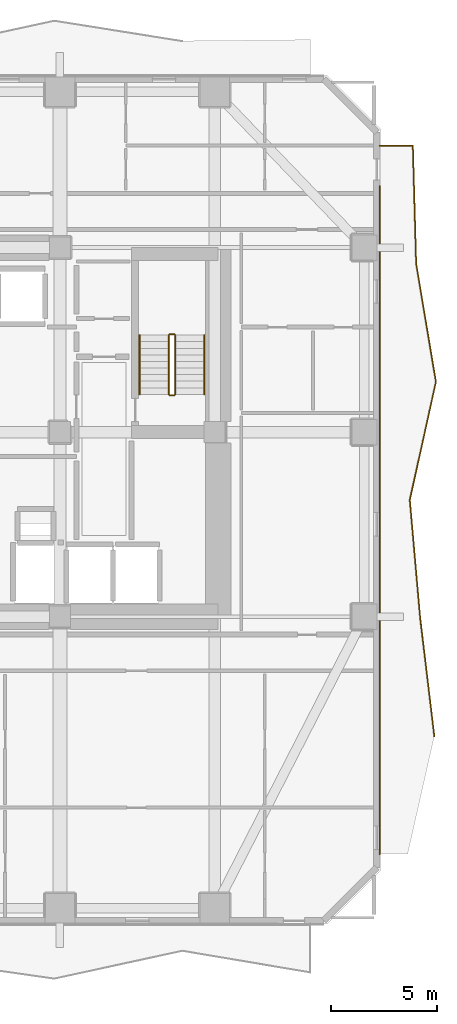
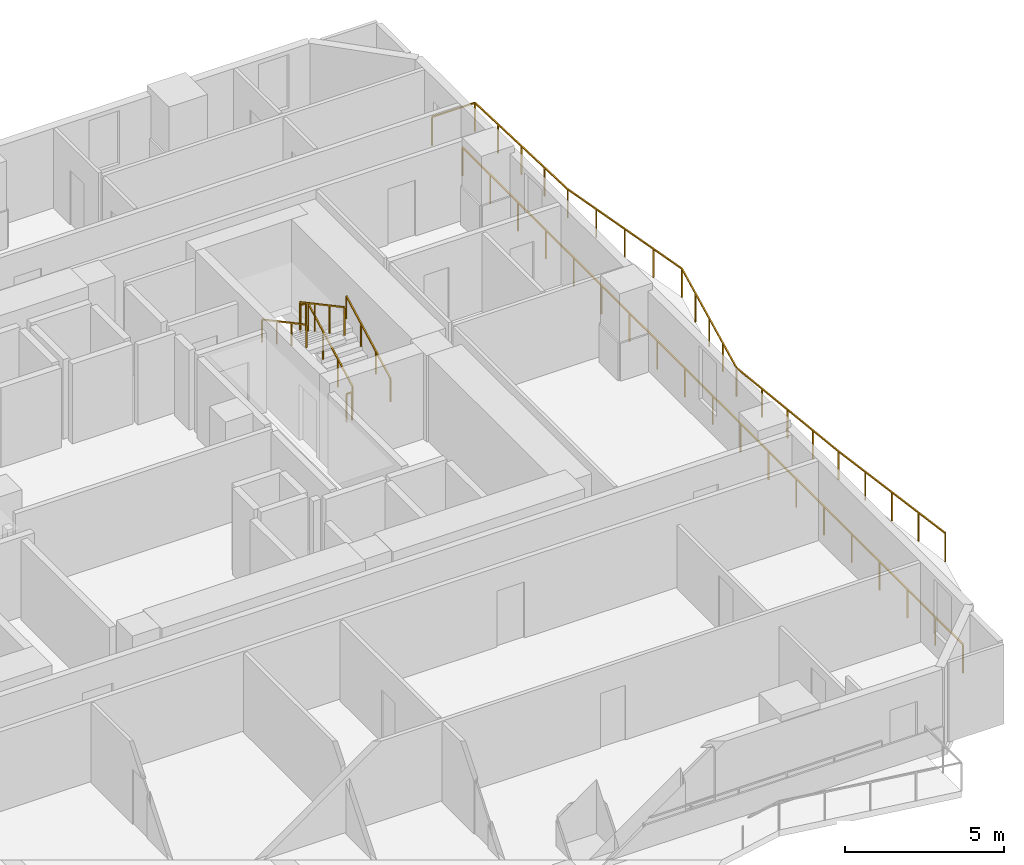
# One storey, part 10 of 11: 8 railings.
"""IFC4 building model written with IfcOpenShell, lengths in metres."""

from ifc_helpers import new_model, si_unit, direction, frame, origin, origin_2d, place, context, subcontext, project, spatial, rectangle, extrude, material, type_object, element, save


model = new_model("IFC4")

# Units and contexts
model_context = context("Model", 3, precision=1e-05, world=origin(), true_north=direction((0.0, 1.0)))
body_context = subcontext(model_context, "Body", "Model", "MODEL_VIEW")
ifc_project = project(units=[si_unit("LENGTHUNIT", "METRE"), si_unit("AREAUNIT", "SQUARE_METRE"), si_unit("VOLUMEUNIT", "CUBIC_METRE"), si_unit("PLANEANGLEUNIT", "RADIAN"), si_unit("MASSUNIT", "GRAM", prefix="KILO")], contexts=[model_context])

# Site, building, storey
site_placement = place(None, origin())
site = spatial("IfcSite", under=ifc_project, at=site_placement, CompositionType="ELEMENT")
building_placement = place(site_placement, origin())
building = spatial("IfcBuilding", under=site, at=building_placement, Name="Solanera Arch Residences", CompositionType="ELEMENT")
storey_placement = place(building_placement, frame((0.0, 0.0, 35.280029296875)))
storey = spatial("IfcBuildingStorey", under=building, at=storey_placement, Name="L09", CompositionType="ELEMENT", Elevation=35.280029296875)

# Railings
ifc_material_1 = material(Name="Steel S355 (ASTM A992 / A572 Grade 50)", Category="steel")
railing_type_1 = type_object("IfcRailingType", Name="Balustrade Railing BL-1100", PredefinedType="BALUSTRADE", material=ifc_material_1)
railing_1_placement = place(storey_placement, frame((46.85009765625, 16.366943359375, 0.0)))
element("IfcRailing", 1, at=railing_1_placement, inside=storey, type_object=railing_type_1, Name="L09 E Balcony Balustrade 1", PredefinedType="BALUSTRADE", context=body_context, shape_type="SweptSolid", body=[
    extrude(rectangle(XDim=0.048095703125, YDim=0.048095703125, at=origin_2d()), frame((0.0, 0.0, 1.09619140625), z_axis=(-0.118806904127, 0.992917377999, 0.0), x_axis=(-0.992917377999, -0.118806904127, 0.0)), (0.0, 0.0, 1.0), 5.60595703125),
    extrude(rectangle(XDim=0.048095703125, YDim=0.048095703125, at=origin_2d()), frame((-0.666015625, 5.566162109375, 1.09619140625), z_axis=(-0.087679611199, 0.996148726737, 0.0), x_axis=(-0.996148726737, -0.087679611199, 0.0)), (0.0, 0.0, 1.0), 5.58837890625),
    extrude(rectangle(XDim=0.048095703125, YDim=0.048095703125, at=origin_2d()), frame((-1.156005859375, 11.133056640625, 1.09619140625), z_axis=(0.216068938823, 0.976378109994, 0.0), x_axis=(-0.976378109994, 0.216068938823, 0.0)), (0.0, 0.0, 1.0), 5.70166015625),
    extrude(rectangle(XDim=0.048095703125, YDim=0.048095703125, at=origin_2d()), frame((0.075927734375, 16.699951171875, 1.09619140625), z_axis=(-0.165163573258, 0.986266188242, 0.0), x_axis=(-0.986266188242, -0.165163573258, 0.0)), (0.0, 0.0, 1.0), 5.6435546875),
    extrude(rectangle(XDim=0.048095703125, YDim=0.048095703125, at=origin_2d()), frame((-0.856201171875, 22.26611328125, 1.09619140625), z_axis=(-0.028012859953, 0.999607562835, 0.0), x_axis=(-0.999607562835, -0.028012859953, 0.0)), (0.0, 0.0, 1.0), 5.569091796875),
    extrude(rectangle(XDim=0.048095703125, YDim=0.048095703125, at=origin_2d()), frame((-1.01220703125, 27.8330078125, 1.09619140625), z_axis=(-1.0, 0.0, 0.0), x_axis=(0.0, -1.0, 0.0)), (0.0, 0.0, 1.0), 1.557861328125),
    extrude(rectangle(XDim=0.0419921875, YDim=0.0419921875, at=origin_2d()), origin(), (0.0, 0.0, 1.0), 1.072021484375),
    extrude(rectangle(XDim=0.0419921875, YDim=0.0419921875, at=origin_2d()), frame((-0.16650390625, 1.3916015625, 0.0)), (0.0, 0.0, 1.0), 1.072021484375),
    extrude(rectangle(XDim=0.0419921875, YDim=0.0419921875, at=origin_2d()), frame((-0.3330078125, 2.783203125, 0.0)), (0.0, 0.0, 1.0), 1.072021484375),
    extrude(rectangle(XDim=0.0419921875, YDim=0.0419921875, at=origin_2d()), frame((-0.49951171875, 4.174560546875, 0.0)), (0.0, 0.0, 1.0), 1.072021484375),
    extrude(rectangle(XDim=0.0419921875, YDim=0.0419921875, at=origin_2d()), frame((-0.666015625, 5.566162109375, 0.0)), (0.0, 0.0, 1.0), 1.072021484375),
    extrude(rectangle(XDim=0.0419921875, YDim=0.0419921875, at=origin_2d()), frame((-0.78857421875, 6.9580078125, 0.0)), (0.0, 0.0, 1.0), 1.072021484375),
    extrude(rectangle(XDim=0.0419921875, YDim=0.0419921875, at=origin_2d()), frame((-0.9111328125, 8.349609375, 0.0)), (0.0, 0.0, 1.0), 1.072021484375),
    extrude(rectangle(XDim=0.0419921875, YDim=0.0419921875, at=origin_2d()), frame((-1.033447265625, 9.7412109375, 0.0)), (0.0, 0.0, 1.0), 1.072021484375),
    extrude(rectangle(XDim=0.0419921875, YDim=0.0419921875, at=origin_2d()), frame((-1.156005859375, 11.133056640625, 0.0)), (0.0, 0.0, 1.0), 1.072021484375),
    extrude(rectangle(XDim=0.0419921875, YDim=0.0419921875, at=origin_2d()), frame((-0.84814453125, 12.52490234375, 0.0)), (0.0, 0.0, 1.0), 1.072021484375),
    extrude(rectangle(XDim=0.0419921875, YDim=0.0419921875, at=origin_2d()), frame((-0.5400390625, 13.91650390625, 0.0)), (0.0, 0.0, 1.0), 1.072021484375),
    extrude(rectangle(XDim=0.0419921875, YDim=0.0419921875, at=origin_2d()), frame((-0.23193359375, 15.30810546875, 0.0)), (0.0, 0.0, 1.0), 1.072021484375),
    extrude(rectangle(XDim=0.0419921875, YDim=0.0419921875, at=origin_2d()), frame((0.075927734375, 16.699951171875, 0.0)), (0.0, 0.0, 1.0), 1.072021484375),
    extrude(rectangle(XDim=0.0419921875, YDim=0.0419921875, at=origin_2d()), frame((-0.1572265625, 18.091552734375, 0.0)), (0.0, 0.0, 1.0), 1.072021484375),
    extrude(rectangle(XDim=0.0419921875, YDim=0.0419921875, at=origin_2d()), frame((-0.39013671875, 19.48291015625, 0.0)), (0.0, 0.0, 1.0), 1.072021484375),
    extrude(rectangle(XDim=0.0419921875, YDim=0.0419921875, at=origin_2d()), frame((-0.623046875, 20.87451171875, 0.0)), (0.0, 0.0, 1.0), 1.072021484375),
    extrude(rectangle(XDim=0.0419921875, YDim=0.0419921875, at=origin_2d()), frame((-0.856201171875, 22.26611328125, 0.0)), (0.0, 0.0, 1.0), 1.072021484375),
    extrude(rectangle(XDim=0.0419921875, YDim=0.0419921875, at=origin_2d()), frame((-0.895263671875, 23.65771484375, 0.0)), (0.0, 0.0, 1.0), 1.072021484375),
    extrude(rectangle(XDim=0.0419921875, YDim=0.0419921875, at=origin_2d()), frame((-0.93408203125, 25.049560546875, 0.0)), (0.0, 0.0, 1.0), 1.072021484375),
    extrude(rectangle(XDim=0.0419921875, YDim=0.0419921875, at=origin_2d()), frame((-0.97314453125, 26.44140625, 0.0)), (0.0, 0.0, 1.0), 1.072021484375),
    extrude(rectangle(XDim=0.0419921875, YDim=0.0419921875, at=origin_2d()), frame((-1.01220703125, 27.8330078125, 0.0)), (0.0, 0.0, 1.0), 1.072021484375),
    extrude(rectangle(XDim=0.0419921875, YDim=0.0419921875, at=origin_2d()), frame((-2.570068359375, 27.8330078125, 0.0)), (0.0, 0.0, 1.0), 1.072021484375),
])
railing_2_placement = place(storey_placement, frame((44.280029296875, 42.283935546875, 0.0)))
element("IfcRailing", 2, at=railing_2_placement, inside=storey, type_object=railing_type_1, Name="L09 E Balcony Balustrade 2", PredefinedType="BALUSTRADE", context=body_context, shape_type="SweptSolid", body=[
    extrude(rectangle(XDim=0.048095703125, YDim=0.048095703125, at=origin_2d()), frame((0.0, 0.0, 1.09619140625), z_axis=(0.0, -1.0, 0.0), x_axis=(1.0, 0.0, 0.0)), (0.0, 0.0, 1.0), 31.48388671875),
    extrude(rectangle(XDim=0.0419921875, YDim=0.0419921875, at=origin_2d()), origin(), (0.0, 0.0, 1.0), 1.072021484375),
    extrude(rectangle(XDim=0.0419921875, YDim=0.0419921875, at=origin_2d()), frame((0.0, -1.7490234375, 0.0)), (0.0, 0.0, 1.0), 1.072021484375),
    extrude(rectangle(XDim=0.0419921875, YDim=0.0419921875, at=origin_2d()), frame((0.0, -3.498291015625, 0.0)), (0.0, 0.0, 1.0), 1.072021484375),
    extrude(rectangle(XDim=0.0419921875, YDim=0.0419921875, at=origin_2d()), frame((0.0, -5.247314453125, 0.0)), (0.0, 0.0, 1.0), 1.072021484375),
    extrude(rectangle(XDim=0.0419921875, YDim=0.0419921875, at=origin_2d()), frame((0.0, -6.996337890625, 0.0)), (0.0, 0.0, 1.0), 1.072021484375),
    extrude(rectangle(XDim=0.0419921875, YDim=0.0419921875, at=origin_2d()), frame((0.0, -8.74560546875, 0.0)), (0.0, 0.0, 1.0), 1.072021484375),
    extrude(rectangle(XDim=0.0419921875, YDim=0.0419921875, at=origin_2d()), frame((0.0, -10.49462890625, 0.0)), (0.0, 0.0, 1.0), 1.072021484375),
    extrude(rectangle(XDim=0.0419921875, YDim=0.0419921875, at=origin_2d()), frame((0.0, -12.24365234375, 0.0)), (0.0, 0.0, 1.0), 1.072021484375),
    extrude(rectangle(XDim=0.0419921875, YDim=0.0419921875, at=origin_2d()), frame((0.0, -13.992919921875, 0.0)), (0.0, 0.0, 1.0), 1.072021484375),
    extrude(rectangle(XDim=0.0419921875, YDim=0.0419921875, at=origin_2d()), frame((0.0, -15.741943359375, 0.0)), (0.0, 0.0, 1.0), 1.072021484375),
    extrude(rectangle(XDim=0.0419921875, YDim=0.0419921875, at=origin_2d()), frame((0.0, -17.490966796875, 0.0)), (0.0, 0.0, 1.0), 1.072021484375),
    extrude(rectangle(XDim=0.0419921875, YDim=0.0419921875, at=origin_2d()), frame((0.0, -19.240234375, 0.0)), (0.0, 0.0, 1.0), 1.072021484375),
    extrude(rectangle(XDim=0.0419921875, YDim=0.0419921875, at=origin_2d()), frame((0.0, -20.9892578125, 0.0)), (0.0, 0.0, 1.0), 1.072021484375),
    extrude(rectangle(XDim=0.0419921875, YDim=0.0419921875, at=origin_2d()), frame((0.0, -22.73828125, 0.0)), (0.0, 0.0, 1.0), 1.072021484375),
    extrude(rectangle(XDim=0.0419921875, YDim=0.0419921875, at=origin_2d()), frame((0.0, -24.487548828125, 0.0)), (0.0, 0.0, 1.0), 1.072021484375),
    extrude(rectangle(XDim=0.0419921875, YDim=0.0419921875, at=origin_2d()), frame((0.0, -26.236572265625, 0.0)), (0.0, 0.0, 1.0), 1.072021484375),
    extrude(rectangle(XDim=0.0419921875, YDim=0.0419921875, at=origin_2d()), frame((0.0, -27.985595703125, 0.0)), (0.0, 0.0, 1.0), 1.072021484375),
    extrude(rectangle(XDim=0.0419921875, YDim=0.0419921875, at=origin_2d()), frame((0.0, -29.73486328125, 0.0)), (0.0, 0.0, 1.0), 1.072021484375),
    extrude(rectangle(XDim=0.0419921875, YDim=0.0419921875, at=origin_2d()), frame((0.0, -31.48388671875, 0.0)), (0.0, 0.0, 1.0), 1.072021484375),
])
ifc_material_2 = material(Name="Steel S355 (ASTM A992 / A572 Grade 50)", Category="steel")
railing_type_2 = type_object("IfcRailingType", Name="Stair Guardrail GR-1100", PredefinedType="GUARDRAIL", material=ifc_material_2)
railing_3_placement = place(storey_placement, frame((34.6298828125, 32.47998046875, 0.15087890625)))
element("IfcRailing", 3, at=railing_3_placement, inside=storey, type_object=railing_type_2, Name="L09 ST-T2 stair guard 1", PredefinedType="GUARDRAIL", context=body_context, shape_type="SweptSolid", body=[
    extrude(rectangle(XDim=0.048095703125, YDim=0.048095703125, at=origin_2d()), frame((0.0, 0.0, 1.076171875), z_axis=(0.0, 0.881548766853, 0.472092969298), x_axis=(-1.0, 0.0, 0.0)), (0.0, 0.0, 1.0), 3.1650390625),
    extrude(rectangle(XDim=0.0419921875, YDim=0.0419921875, at=origin_2d()), origin(), (0.0, 0.0, 1.0), 1.052001953125),
    extrude(rectangle(XDim=0.0419921875, YDim=0.0419921875, at=origin_2d()), frame((0.0, 0.929931640625, 0.498046875)), (0.0, 0.0, 1.0), 1.052001953125),
    extrude(rectangle(XDim=0.0419921875, YDim=0.0419921875, at=origin_2d()), frame((0.0, 1.860107421875, 0.99609375)), (0.0, 0.0, 1.0), 1.052001953125),
    extrude(rectangle(XDim=0.0419921875, YDim=0.0419921875, at=origin_2d()), frame((0.0, 2.7900390625, 1.494140625)), (0.0, 0.0, 1.0), 1.052001953125),
])
railing_4_placement = place(storey_placement, frame((34.580078125, 35.320068359375, 1.64501953125)))
element("IfcRailing", 4, at=railing_4_placement, inside=storey, type_object=railing_type_2, Name="L09 ST-T2 stair guard 2", PredefinedType="GUARDRAIL", context=body_context, shape_type="SweptSolid", body=[
    extrude(rectangle(XDim=0.048095703125, YDim=0.048095703125, at=origin_2d()), frame((0.0, 0.0, 1.076171875), z_axis=(-1.0, 0.0, 0.0), x_axis=(0.0, -1.0, 0.0)), (0.0, 0.0, 1.0), 0.2001953125),
    extrude(rectangle(XDim=0.0419921875, YDim=0.0419921875, at=origin_2d()), origin(), (0.0, 0.0, 1.0), 1.052001953125),
    extrude(rectangle(XDim=0.0419921875, YDim=0.0419921875, at=origin_2d()), frame((-0.2001953125, 0.0, 0.0)), (0.0, 0.0, 1.0), 1.052001953125),
])
railing_5_placement = place(storey_placement, frame((34.330078125, 35.27001953125, 1.81103515625)))
element("IfcRailing", 5, at=railing_5_placement, inside=storey, type_object=railing_type_2, Name="L09 ST-T2 stair guard 3", PredefinedType="GUARDRAIL", context=body_context, shape_type="SweptSolid", body=[
    extrude(rectangle(XDim=0.048095703125, YDim=0.048095703125, at=origin_2d()), frame((0.0, 0.0, 1.076171875), z_axis=(0.0, -0.881580869306, 0.472033018838), x_axis=(1.0, 0.0, 0.0)), (0.0, 0.0, 1.0), 3.164794921875),
    extrude(rectangle(XDim=0.0419921875, YDim=0.0419921875, at=origin_2d()), origin(), (0.0, 0.0, 1.0), 1.052001953125),
    extrude(rectangle(XDim=0.0419921875, YDim=0.0419921875, at=origin_2d()), frame((0.0, -0.929931640625, 0.498046875)), (0.0, 0.0, 1.0), 1.052001953125),
    extrude(rectangle(XDim=0.0419921875, YDim=0.0419921875, at=origin_2d()), frame((0.0, -1.860107421875, 0.995849609375)), (0.0, 0.0, 1.0), 1.052001953125),
    extrude(rectangle(XDim=0.0419921875, YDim=0.0419921875, at=origin_2d()), frame((0.0, -2.7900390625, 1.493896484375)), (0.0, 0.0, 1.0), 1.052001953125),
])
railing_6_placement = place(storey_placement, frame((34.580078125, 32.429931640625, -0.01513671875)))
element("IfcRailing", 6, at=railing_6_placement, inside=storey, type_object=railing_type_2, Name="L09 ST-T2 stair guard 4", PredefinedType="GUARDRAIL", context=body_context, shape_type="SweptSolid", body=[
    extrude(rectangle(XDim=0.048095703125, YDim=0.048095703125, at=origin_2d()), frame((0.0, 0.0, 1.076171875), z_axis=(-1.0, 0.0, 0.0), x_axis=(0.0, -1.0, 0.0)), (0.0, 0.0, 1.0), 0.2001953125),
    extrude(rectangle(XDim=0.0419921875, YDim=0.0419921875, at=origin_2d()), origin(), (0.0, 0.0, 1.0), 1.052001953125),
    extrude(rectangle(XDim=0.0419921875, YDim=0.0419921875, at=origin_2d()), frame((-0.2001953125, 0.0, 0.0)), (0.0, 0.0, 1.0), 1.052001953125),
])
ifc_material_3 = material(Name="Steel S355 (ASTM A992 / A572 Grade 50)", Category="steel")
railing_type_3 = type_object("IfcRailingType", Name="Stair Wall Handrail HR-920", PredefinedType="HANDRAIL", material=ifc_material_3)
railing_7_placement = place(storey_placement, frame((36.010009765625, 32.47998046875, 0.166015625)))
element("IfcRailing", 7, at=railing_7_placement, inside=storey, type_object=railing_type_3, Name="L09 ST-T2 stair handrail 1", PredefinedType="HANDRAIL", context=body_context, shape_type="SweptSolid", body=[
    extrude(rectangle(XDim=0.048095703125, YDim=0.048095703125, at=origin_2d()), frame((0.0, 0.0, 0.8759765625), z_axis=(0.0, 0.881580869306, 0.472033018838), x_axis=(-1.0, 0.0, 0.0)), (0.0, 0.0, 1.0), 3.164794921875),
    extrude(rectangle(XDim=0.0419921875, YDim=0.0419921875, at=origin_2d()), origin(), (0.0, 0.0, 1.0), 0.851806640625),
    extrude(rectangle(XDim=0.0419921875, YDim=0.0419921875, at=origin_2d()), frame((0.0, 0.929931640625, 0.498046875)), (0.0, 0.0, 1.0), 0.851806640625),
    extrude(rectangle(XDim=0.0419921875, YDim=0.0419921875, at=origin_2d()), frame((0.0, 1.860107421875, 0.995849609375)), (0.0, 0.0, 1.0), 0.851806640625),
    extrude(rectangle(XDim=0.0419921875, YDim=0.0419921875, at=origin_2d()), frame((0.0, 2.7900390625, 1.493896484375)), (0.0, 0.0, 1.0), 0.851806640625),
])
railing_8_placement = place(storey_placement, frame((32.949951171875, 35.27001953125, 1.825927734375)))
element("IfcRailing", 8, at=railing_8_placement, inside=storey, type_object=railing_type_3, Name="L09 ST-T2 stair handrail 2", PredefinedType="HANDRAIL", context=body_context, shape_type="SweptSolid", body=[
    extrude(rectangle(XDim=0.048095703125, YDim=0.048095703125, at=origin_2d()), frame((0.0, 0.0, 0.8759765625), z_axis=(0.0, -0.881548766853, 0.472092969298), x_axis=(1.0, 0.0, 0.0)), (0.0, 0.0, 1.0), 3.1650390625),
    extrude(rectangle(XDim=0.0419921875, YDim=0.0419921875, at=origin_2d()), origin(), (0.0, 0.0, 1.0), 0.851806640625),
    extrude(rectangle(XDim=0.0419921875, YDim=0.0419921875, at=origin_2d()), frame((0.0, -0.929931640625, 0.498046875)), (0.0, 0.0, 1.0), 0.851806640625),
    extrude(rectangle(XDim=0.0419921875, YDim=0.0419921875, at=origin_2d()), frame((0.0, -1.860107421875, 0.99609375)), (0.0, 0.0, 1.0), 0.851806640625),
    extrude(rectangle(XDim=0.0419921875, YDim=0.0419921875, at=origin_2d()), frame((0.0, -2.7900390625, 1.494140625)), (0.0, 0.0, 1.0), 0.851806640625),
])

save(model, "model.ifc")
